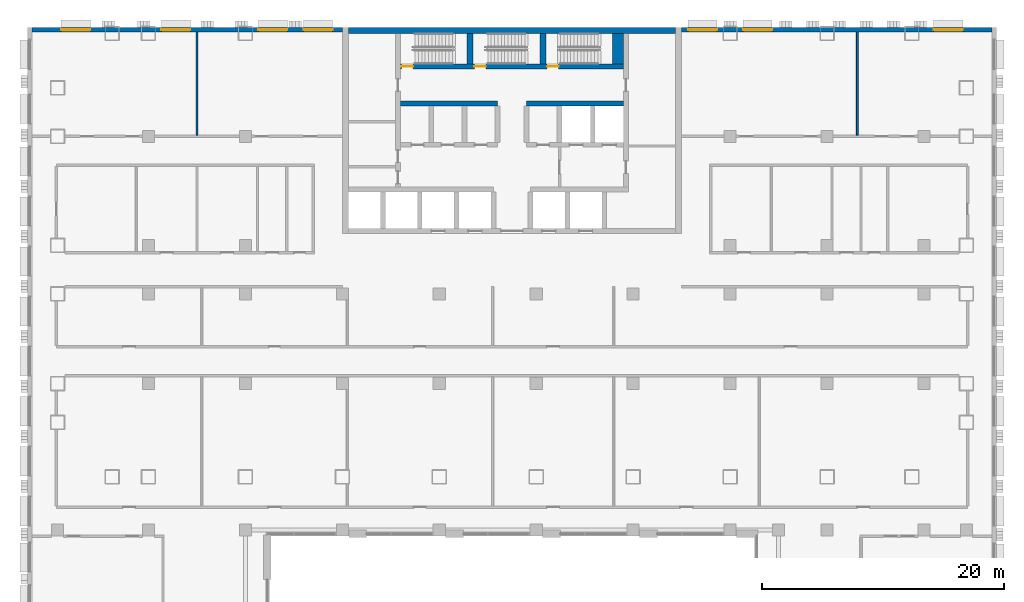
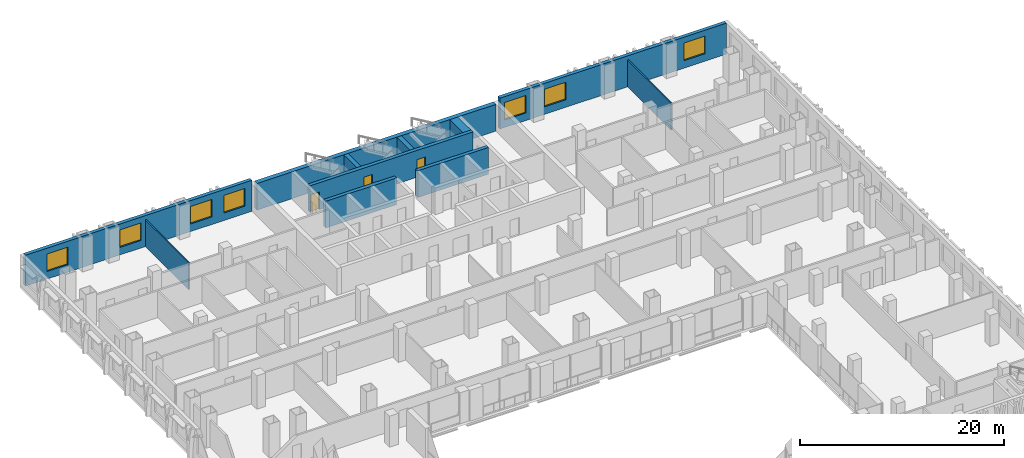
# One storey, part 15 of 24: 11 walls, 7 windows, 3 doors, 10 openings.
"""IFC4 building model written with IfcOpenShell, lengths in metres."""

from ifc_helpers import new_model, si_unit, direction, frame, frame_2d, origin, place, context, subcontext, project, spatial, rectangle, extrude, material, layer, layer_set, type_object, element, fill, save


model = new_model("IFC4")

# Units and contexts
model_context = context("Model", 3, precision=1e-05, world=origin(), true_north=direction((0.0, 1.0)))
body_context = subcontext(model_context, "Body", "Model", "MODEL_VIEW")
ifc_project = project(units=[si_unit("LENGTHUNIT", "METRE"), si_unit("AREAUNIT", "SQUARE_METRE"), si_unit("VOLUMEUNIT", "CUBIC_METRE"), si_unit("PLANEANGLEUNIT", "RADIAN"), si_unit("MASSUNIT", "GRAM", prefix="KILO")], contexts=[model_context])

# Site, building, storey
site_placement = place(None, origin())
site = spatial("IfcSite", under=ifc_project, at=site_placement, CompositionType="ELEMENT")
building_placement = place(site_placement, origin())
building = spatial("IfcBuilding", under=site, at=building_placement, Name="Vidyagriha Tower", CompositionType="ELEMENT")
storey_placement = place(building_placement, frame((0.0, 0.0, 22.0)))
storey = spatial("IfcBuildingStorey", under=building, at=storey_placement, Name="L05", CompositionType="ELEMENT", Elevation=22.0)

# Wall, openings, windows
ifc_material_1 = material(Name="Concrete C40/50 board-marked with brick facing", Category="concrete")
ifc_layer_1 = layer(ifc_material_1, 0.39990234375)
ifc_layer_set_1 = layer_set([ifc_layer_1], Name="Concrete C40/50 board-marked with brick facing")
wall_type_1 = type_object("IfcWallType", Name="Brick-faced board-marked concrete podium wall 400", PredefinedType="STANDARD", material=ifc_layer_set_1)
wall_1_placement = place(storey_placement, frame((39.60009765625, 19.800048828125, 0.0), z_axis=(0.0, 0.0, 1.0), x_axis=(-1.0, 0.0, 0.0)))
wall_1 = element("IfcWall", 1, at=wall_1_placement, inside=storey, type_object=wall_type_1, Name="Podium wall L05 R02", PredefinedType="STANDARD", context=body_context, shape_type="SweptSolid", body=[
    extrude(rectangle(XDim=25.60009765625, YDim=0.39990234375, at=frame_2d((12.800048828125, 0.0))), origin(), (0.0, 0.0, 1.0), 3.699951171875),
])
opening_1_placement = place(wall_1_placement, frame((2.39990234375, 0.0, 0.89990234375)))
opening_1 = element("IfcOpeningElement", 2, at=opening_1_placement, cuts=wall_1, Name="Opening WN3", PredefinedType="OPENING", context=body_context, shape_type="SweptSolid", body=[
    extrude(rectangle(XDim=2.39990234375, YDim=2.10009765625, at=frame_2d((1.199951171875, 1.050048828125))), frame((0.0, 0.2099609375, 0.0), z_axis=(0.0, -1.0, 0.0), x_axis=(1.0, 0.0, 0.0)), (0.0, 0.0, 1.0), 0.419921875),
])
opening_2_placement = place(wall_1_placement, frame((18.135009765625, 0.0, 0.89990234375)))
opening_2 = element("IfcOpeningElement", 3, at=opening_2_placement, cuts=wall_1, Name="Opening WN3", PredefinedType="OPENING", context=body_context, shape_type="SweptSolid", body=[
    extrude(rectangle(XDim=2.39990234375, YDim=2.10009765625, at=frame_2d((1.199951171875, 1.050048828125))), frame((0.0, 0.2099609375, 0.0), z_axis=(0.0, -1.0, 0.0), x_axis=(1.0, 0.0, 0.0)), (0.0, 0.0, 1.0), 0.419921875),
])
opening_3_placement = place(wall_1_placement, frame((22.6650390625, 0.0, 0.89990234375)))
opening_3 = element("IfcOpeningElement", 4, at=opening_3_placement, cuts=wall_1, Name="Opening WN3", PredefinedType="OPENING", context=body_context, shape_type="SweptSolid", body=[
    extrude(rectangle(XDim=2.39990234375, YDim=2.10009765625, at=frame_2d((1.199951171875, 1.050048828125))), frame((0.0, 0.2099609375, 0.0), z_axis=(0.0, -1.0, 0.0), x_axis=(1.0, 0.0, 0.0)), (0.0, 0.0, 1.0), 0.419921875),
])
ifc_material_2 = material(Name="Aluminium and glass window", Category="aluminium")
window_type = type_object("IfcWindowType", Name="Podium school window 2400x2100", PartitioningType="NOTDEFINED", PredefinedType="WINDOW", material=ifc_material_2)
window_1_placement = place(opening_1_placement, origin())
window_1 = element("IfcWindow", 5, at=window_1_placement, inside=storey, type_object=window_type, Name="School window L05 R02.2", OverallHeight=2.10009765625, OverallWidth=2.39990234375, PartitioningType="SINGLE_PANEL", PredefinedType="WINDOW", context=body_context, shape_type="SweptSolid", body=[
    extrude(rectangle(XDim=2.39990234375, YDim=2.10009765625, at=frame_2d((1.199951171875, 1.050048828125))), frame((0.0, 0.030029296875, 0.0), z_axis=(0.0, -1.0, 0.0), x_axis=(1.0, 0.0, 0.0)), (0.0, 0.0, 1.0), 0.06005859375),
])
fill(opening_1, window_1)
window_2_placement = place(opening_2_placement, origin())
window_2 = element("IfcWindow", 6, at=window_2_placement, inside=storey, type_object=window_type, Name="School window L05 R02.12", OverallHeight=2.10009765625, OverallWidth=2.39990234375, PartitioningType="SINGLE_PANEL", PredefinedType="WINDOW", context=body_context, shape_type="SweptSolid", body=[
    extrude(rectangle(XDim=2.39990234375, YDim=2.10009765625, at=frame_2d((1.199951171875, 1.050048828125))), frame((0.0, 0.030029296875, 0.0), z_axis=(0.0, -1.0, 0.0), x_axis=(1.0, 0.0, 0.0)), (0.0, 0.0, 1.0), 0.06005859375),
])
fill(opening_2, window_2)
window_3_placement = place(opening_3_placement, origin())
window_3 = element("IfcWindow", 7, at=window_3_placement, inside=storey, type_object=window_type, Name="School window L05 R02.14", OverallHeight=2.10009765625, OverallWidth=2.39990234375, PartitioningType="SINGLE_PANEL", PredefinedType="WINDOW", context=body_context, shape_type="SweptSolid", body=[
    extrude(rectangle(XDim=2.39990234375, YDim=2.10009765625, at=frame_2d((1.199951171875, 1.050048828125))), frame((0.0, 0.030029296875, 0.0), z_axis=(0.0, -1.0, 0.0), x_axis=(1.0, 0.0, 0.0)), (0.0, 0.0, 1.0), 0.06005859375),
])
fill(opening_3, window_3)

wall_2_placement = place(storey_placement, frame((-14.0, 19.800048828125, 0.0), z_axis=(0.0, 0.0, 1.0), x_axis=(-1.0, 0.0, 0.0)))
wall_2 = element("IfcWall", 8, at=wall_2_placement, inside=storey, type_object=wall_type_1, Name="Podium wall L05 R04", PredefinedType="STANDARD", context=body_context, shape_type="SweptSolid", body=[
    extrude(rectangle(XDim=25.60009765625, YDim=0.39990234375, at=frame_2d((12.800048828125, 0.0))), origin(), (0.0, 0.0, 1.0), 3.699951171875),
])
opening_4_placement = place(wall_2_placement, frame((0.800048828125, 0.0, 0.89990234375)))
opening_4 = element("IfcOpeningElement", 9, at=opening_4_placement, cuts=wall_2, Name="Opening WN3", PredefinedType="OPENING", context=body_context, shape_type="SweptSolid", body=[
    extrude(rectangle(XDim=2.39990234375, YDim=2.10009765625, at=frame_2d((1.199951171875, 1.050048828125))), frame((0.0, 0.2099609375, 0.0), z_axis=(0.0, -1.0, 0.0), x_axis=(1.0, 0.0, 0.0)), (0.0, 0.0, 1.0), 0.419921875),
])
opening_5_placement = place(wall_2_placement, frame((4.534912109375, 0.0, 0.89990234375)))
opening_5 = element("IfcOpeningElement", 10, at=opening_5_placement, cuts=wall_2, Name="Opening WN3", PredefinedType="OPENING", context=body_context, shape_type="SweptSolid", body=[
    extrude(rectangle(XDim=2.39990234375, YDim=2.10009765625, at=frame_2d((1.199951171875, 1.050048828125))), frame((0.0, 0.2099609375, 0.0), z_axis=(0.0, -1.0, 0.0), x_axis=(1.0, 0.0, 0.0)), (0.0, 0.0, 1.0), 0.419921875),
])
opening_6_placement = place(wall_2_placement, frame((12.534912109375, 0.0, 0.89990234375)))
opening_6 = element("IfcOpeningElement", 11, at=opening_6_placement, cuts=wall_2, Name="Opening WN3", PredefinedType="OPENING", context=body_context, shape_type="SweptSolid", body=[
    extrude(rectangle(XDim=2.39990234375, YDim=2.10009765625, at=frame_2d((1.199951171875, 1.050048828125))), frame((0.0, 0.2099609375, 0.0), z_axis=(0.0, -1.0, 0.0), x_axis=(1.0, 0.0, 0.0)), (0.0, 0.0, 1.0), 0.419921875),
])
opening_7_placement = place(wall_2_placement, frame((20.800048828125, 0.0, 0.89990234375)))
opening_7 = element("IfcOpeningElement", 12, at=opening_7_placement, cuts=wall_2, Name="Opening WN3", PredefinedType="OPENING", context=body_context, shape_type="SweptSolid", body=[
    extrude(rectangle(XDim=2.39990234375, YDim=2.10009765625, at=frame_2d((1.199951171875, 1.050048828125))), frame((0.0, 0.2099609375, 0.0), z_axis=(0.0, -1.0, 0.0), x_axis=(1.0, 0.0, 0.0)), (0.0, 0.0, 1.0), 0.419921875),
])
window_4_placement = place(opening_4_placement, origin())
window_4 = element("IfcWindow", 13, at=window_4_placement, inside=storey, type_object=window_type, Name="School window L05 R04.1", OverallHeight=2.10009765625, OverallWidth=2.39990234375, PartitioningType="SINGLE_PANEL", PredefinedType="WINDOW", context=body_context, shape_type="SweptSolid", body=[
    extrude(rectangle(XDim=2.39990234375, YDim=2.10009765625, at=frame_2d((1.199951171875, 1.050048828125))), frame((0.0, 0.030029296875, 0.0), z_axis=(0.0, -1.0, 0.0), x_axis=(1.0, 0.0, 0.0)), (0.0, 0.0, 1.0), 0.06005859375),
])
fill(opening_4, window_4)
window_5_placement = place(opening_5_placement, origin())
window_5 = element("IfcWindow", 14, at=window_5_placement, inside=storey, type_object=window_type, Name="School window L05 R04.2", OverallHeight=2.10009765625, OverallWidth=2.39990234375, PartitioningType="SINGLE_PANEL", PredefinedType="WINDOW", context=body_context, shape_type="SweptSolid", body=[
    extrude(rectangle(XDim=2.39990234375, YDim=2.10009765625, at=frame_2d((1.199951171875, 1.050048828125))), frame((0.0, 0.030029296875, 0.0), z_axis=(0.0, -1.0, 0.0), x_axis=(1.0, 0.0, 0.0)), (0.0, 0.0, 1.0), 0.06005859375),
])
fill(opening_5, window_5)
window_6_placement = place(opening_6_placement, origin())
window_6 = element("IfcWindow", 15, at=window_6_placement, inside=storey, type_object=window_type, Name="School window L05 R04.6", OverallHeight=2.10009765625, OverallWidth=2.39990234375, PartitioningType="SINGLE_PANEL", PredefinedType="WINDOW", context=body_context, shape_type="SweptSolid", body=[
    extrude(rectangle(XDim=2.39990234375, YDim=2.10009765625, at=frame_2d((1.199951171875, 1.050048828125))), frame((0.0, 0.030029296875, 0.0), z_axis=(0.0, -1.0, 0.0), x_axis=(1.0, 0.0, 0.0)), (0.0, 0.0, 1.0), 0.06005859375),
])
fill(opening_6, window_6)
window_7_placement = place(opening_7_placement, origin())
window_7 = element("IfcWindow", 16, at=window_7_placement, inside=storey, type_object=window_type, Name="School window L05 R04.12", OverallHeight=2.10009765625, OverallWidth=2.39990234375, PartitioningType="SINGLE_PANEL", PredefinedType="WINDOW", context=body_context, shape_type="SweptSolid", body=[
    extrude(rectangle(XDim=2.39990234375, YDim=2.10009765625, at=frame_2d((1.199951171875, 1.050048828125))), frame((0.0, 0.030029296875, 0.0), z_axis=(0.0, -1.0, 0.0), x_axis=(1.0, 0.0, 0.0)), (0.0, 0.0, 1.0), 0.06005859375),
])
fill(opening_7, window_7)

# Walls
ifc_material_3 = material(Name="Concrete C60/75", Category="concrete")
ifc_layer_2 = layer(ifc_material_3, 0.39990234375)
ifc_layer_set_2 = layer_set([ifc_layer_2], Name="Concrete C60/75")
wall_type_2 = type_object("IfcWallType", Name="Core shear wall 400 mm", PredefinedType="SHEAR", material=ifc_layer_set_2)
for number, where, name in (
    (17, (-9.199951171875, 13.699951171875, 0.0), "Core row N rear wall"),
    (18, (1.199951171875, 13.699951171875, 0.0), "Core row N rear wall"),
):
    element("IfcWall", number, at=place(storey_placement, frame(where)), inside=storey, type_object=wall_type_2, Name=name, PredefinedType="SHEAR", context=body_context, shape_type="SweptSolid", body=[
        extrude(rectangle(XDim=8.0, YDim=0.39990234375, at=frame_2d((4.0, 0.0))), origin(), (0.0, 0.0, 1.0), 3.199951171875),
    ])

# Wall, openings, doors
wall_3_placement = place(storey_placement, frame((-9.199951171875, 16.75, 0.0)))
wall_3 = element("IfcWall", 19, at=wall_3_placement, inside=storey, type_object=wall_type_2, Name="Stair front wall", PredefinedType="SHEAR", context=body_context, shape_type="SweptSolid", body=[
    extrude(rectangle(XDim=18.39990234375, YDim=0.39990234375, at=frame_2d((9.199951171875, 0.0))), origin(), (0.0, 0.0, 1.0), 3.199951171875),
])
opening_8_placement = place(wall_3_placement, frame((0.10009765625, 0.0, 0.0)))
opening_8 = element("IfcOpeningElement", 20, at=opening_8_placement, cuts=wall_3, Name="Opening D05-07", PredefinedType="OPENING", context=body_context, shape_type="SweptSolid", body=[
    extrude(rectangle(XDim=0.949951171875, YDim=2.10009765625, at=frame_2d((0.47509765625, 1.050048828125))), frame((0.0, 0.2099609375, 0.0), z_axis=(0.0, -1.0, 0.0), x_axis=(1.0, 0.0, 0.0)), (0.0, 0.0, 1.0), 0.419921875),
])
opening_9_placement = place(wall_3_placement, frame((6.10009765625, 0.0, 0.0)))
opening_9 = element("IfcOpeningElement", 21, at=opening_9_placement, cuts=wall_3, Name="Opening D05-08", PredefinedType="OPENING", context=body_context, shape_type="SweptSolid", body=[
    extrude(rectangle(XDim=0.949951171875, YDim=2.10009765625, at=frame_2d((0.47509765625, 1.050048828125))), frame((0.0, 0.2099609375, 0.0), z_axis=(0.0, -1.0, 0.0), x_axis=(1.0, 0.0, 0.0)), (0.0, 0.0, 1.0), 0.419921875),
])
opening_10_placement = place(wall_3_placement, frame((12.10009765625, 0.0, 0.0)))
opening_10 = element("IfcOpeningElement", 22, at=opening_10_placement, cuts=wall_3, Name="Opening D05-09", PredefinedType="OPENING", context=body_context, shape_type="SweptSolid", body=[
    extrude(rectangle(XDim=0.949951171875, YDim=2.10009765625, at=frame_2d((0.47509765625, 1.050048828125))), frame((0.0, 0.2099609375, 0.0), z_axis=(0.0, -1.0, 0.0), x_axis=(1.0, 0.0, 0.0)), (0.0, 0.0, 1.0), 0.419921875),
])
ifc_material_4 = material(Name="Hollow metal door leaf")
door_type = type_object("IfcDoorType", Name="Exit stair door 950 x 2100 mm EI 90", OperationType="NOTDEFINED", PredefinedType="DOOR", material=ifc_material_4)
door_1_placement = place(opening_8_placement, origin())
door_1 = element("IfcDoor", 23, at=door_1_placement, inside=storey, type_object=door_type, Name="Stair door ST1 L05", OperationType="SINGLE_SWING_LEFT", OverallHeight=2.10009765625, OverallWidth=0.949951171875, PredefinedType="DOOR", context=body_context, shape_type="SweptSolid", body=[
    extrude(rectangle(XDim=0.949951171875, YDim=2.10009765625, at=frame_2d((0.47509765625, 1.050048828125))), frame((0.0, 0.02490234375, 0.0), z_axis=(0.0, -1.0, 0.0), x_axis=(1.0, 0.0, 0.0)), (0.0, 0.0, 1.0), 0.050048828125),
])
fill(opening_8, door_1)
door_2_placement = place(opening_9_placement, origin())
door_2 = element("IfcDoor", 24, at=door_2_placement, inside=storey, type_object=door_type, Name="Stair door ST2 L05", OperationType="SINGLE_SWING_LEFT", OverallHeight=2.10009765625, OverallWidth=0.949951171875, PredefinedType="DOOR", context=body_context, shape_type="SweptSolid", body=[
    extrude(rectangle(XDim=0.949951171875, YDim=2.10009765625, at=frame_2d((0.47509765625, 1.050048828125))), frame((0.0, 0.02490234375, 0.0), z_axis=(0.0, -1.0, 0.0), x_axis=(1.0, 0.0, 0.0)), (0.0, 0.0, 1.0), 0.050048828125),
])
fill(opening_9, door_2)
door_3_placement = place(opening_10_placement, origin())
door_3 = element("IfcDoor", 25, at=door_3_placement, inside=storey, type_object=door_type, Name="Stair door ST3 L05", OperationType="SINGLE_SWING_LEFT", OverallHeight=2.10009765625, OverallWidth=0.949951171875, PredefinedType="DOOR", context=body_context, shape_type="SweptSolid", body=[
    extrude(rectangle(XDim=0.949951171875, YDim=2.10009765625, at=frame_2d((0.47509765625, 1.050048828125))), frame((0.0, 0.02490234375, 0.0), z_axis=(0.0, -1.0, 0.0), x_axis=(1.0, 0.0, 0.0)), (0.0, 0.0, 1.0), 0.050048828125),
])
fill(opening_10, door_3)

# Walls
ifc_material_5 = material(Name="Concrete C60/75", Category="concrete")
ifc_layer_3 = layer(ifc_material_5, 0.5)
ifc_layer_set_3 = layer_set([ifc_layer_3], Name="Concrete C60/75")
wall_type_3 = type_object("IfcWallType", Name="Core shear wall 500 mm", PredefinedType="SHEAR", material=ifc_layer_set_3)
for number, where, z_axis, x_axis, name in (
    (26, (-3.449951171875, 16.949951171875, 0.0), (0.0, 0.0, 1.0), (0.0, 1.0, 0.0), "Stair partition wall 1"),
    (27, (2.550048828125, 16.949951171875, 0.0), (0.0, 0.0, 1.0), (0.0, 1.0, 0.0), "Stair partition wall 2"),
):
    element("IfcWall", number, at=place(storey_placement, frame(where, z_axis=z_axis, x_axis=x_axis)), inside=storey, type_object=wall_type_3, Name=name, PredefinedType="SHEAR", context=body_context, shape_type="SweptSolid", body=[
        extrude(rectangle(XDim=2.550048828125, YDim=0.5, at=frame_2d((1.27490234375, 0.0))), origin(), (0.0, 0.0, 1.0), 3.199951171875),
    ])
ifc_material_6 = material(Name="Concrete C60/75 with brick facing", Category="concrete")
ifc_layer_4 = layer(ifc_material_6, 0.5)
ifc_layer_set_4 = layer_set([ifc_layer_4], Name="Concrete C60/75 with brick facing")
wall_type_4 = type_object("IfcWallType", Name="Core shear wall 500 mm, brick-faced", PredefinedType="SHEAR", material=ifc_layer_set_4)
wall_4_placement = place(storey_placement, frame((-13.5, 19.75, 0.0)))
element("IfcWall", 28, at=wall_4_placement, inside=storey, type_object=wall_type_4, Name="Core north wall", PredefinedType="SHEAR", context=body_context, shape_type="SweptSolid", body=[
    extrude(rectangle(XDim=27.0, YDim=0.5, at=frame_2d((13.5, 0.0))), origin(), (0.0, 0.0, 1.0), 3.199951171875),
])
ifc_material_7 = material(Name="Concrete C60/75", Category="concrete")
ifc_layer_5 = layer(ifc_material_7, 0.89990234375)
ifc_layer_set_5 = layer_set([ifc_layer_5], Name="Concrete C60/75")
wall_type_5 = type_object("IfcWallType", Name="Core shear wall 900 mm", PredefinedType="SHEAR", material=ifc_layer_set_5)
wall_5_placement = place(storey_placement, frame((8.75, 16.949951171875, 0.0), z_axis=(0.0, 0.0, 1.0), x_axis=(0.0, 1.0, 0.0)))
element("IfcWall", 29, at=wall_5_placement, inside=storey, type_object=wall_type_5, Name="Stair end wall", PredefinedType="SHEAR", context=body_context, shape_type="SweptSolid", body=[
    extrude(rectangle(XDim=2.550048828125, YDim=0.89990234375, at=frame_2d((1.27490234375, 0.0))), origin(), (0.0, 0.0, 1.0), 3.199951171875),
])
ifc_material_8 = material(Name="Gypsum board on light gauge framing")
ifc_layer_6 = layer(ifc_material_8, 0.14990234375)
ifc_layer_set_6 = layer_set([ifc_layer_6], Name="Gypsum board on light gauge framing")
wall_type_6 = type_object("IfcWallType", Name="Gypsum Board Partition 150", PredefinedType="PARTITIONING", material=ifc_layer_set_6)
for number, where, z_axis, x_axis, name in (
    (30, (-26.0, 11.10009765625, 0.0), (0.0, 0.0, 1.0), (0.0, 1.0, 0.0), "L05 Gypsum Board Partition 150 047"),
    (31, (28.5, 11.10009765625, 0.0), (0.0, 0.0, 1.0), (0.0, 1.0, 0.0), "L05 Gypsum Board Partition 150 070"),
):
    element("IfcWall", number, at=place(storey_placement, frame(where, z_axis=z_axis, x_axis=x_axis)), inside=storey, type_object=wall_type_6, Name=name, PredefinedType="PARTITIONING", context=body_context, shape_type="SweptSolid", body=[
        extrude(rectangle(XDim=8.499755859375, YDim=0.14990234375, at=frame_2d((4.25, 0.0))), origin(), (0.0, 0.0, 1.0), 3.199951171875),
    ])

save(model, "model.ifc")
